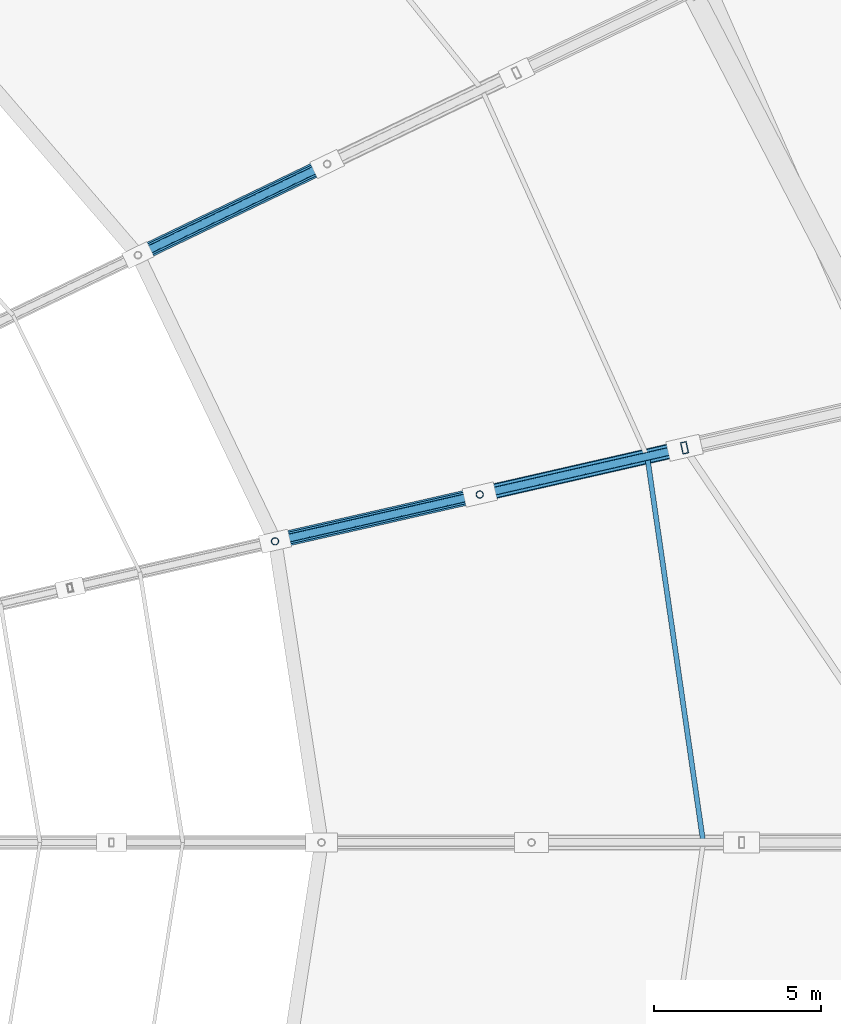
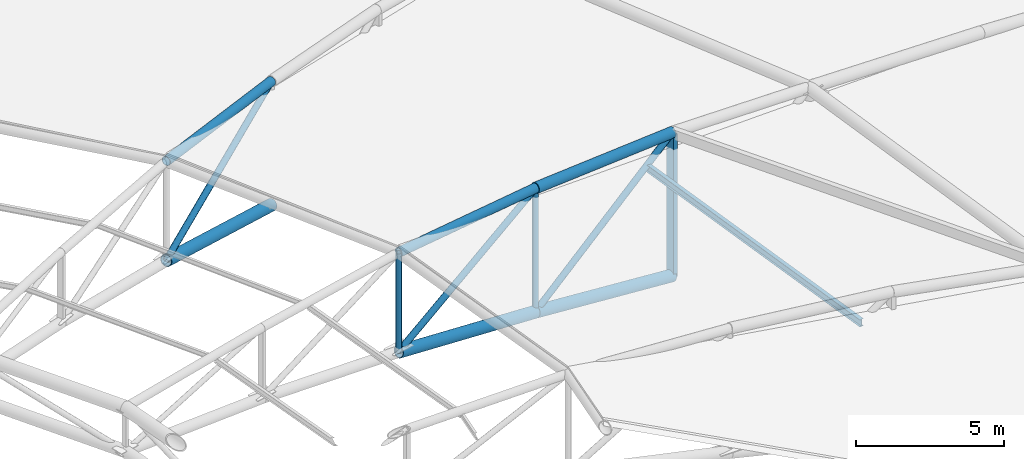
# One storey, part 73 of 108: 13 members.
"""IFC4 building model written with IfcOpenShell, lengths in metres."""

import ifcopenshell
import ifcopenshell.guid

model = None  # the IFC model being written
_history = None  # IfcOwnerHistory: only IFC2X3 demands one
_inside = {}  # id of a spatial element -> (the spatial element, [elements in it])
_under = {}  # id of a project, library or spatial element -> (it, [spatial elements below it])
_declared = {}  # id of a project -> (the project, [libraries it declares])
_typed = {}  # id of a type object -> (the type object, [elements of that type])
_made_of = {}  # id of a material, layer set ... -> (it, [elements and type objects made of it])


def new_model(schema):
    """Start an empty IFC model of exactly this schema.

    Asked for "IFC4X3", IfcOpenShell would pick the latest addendum, in which some entities
    have other attributes; the version numbers below select the first issue.
    IFC2X3 requires an IfcOwnerHistory on every rooted entity: one is made here for all.
    """
    global model, _history
    if schema == "IFC4X3":
        model = ifcopenshell.file(schema_version=(4, 3, 0, 0))
    else:
        model = ifcopenshell.file(schema=schema)
    _inside.clear()
    _under.clear()
    _declared.clear()
    _typed.clear()
    _made_of.clear()
    _history = None
    if model.schema == "IFC2X3":
        org = make("IfcOrganization", Name="unknown")
        user = make(
            "IfcPersonAndOrganization",
            ThePerson=make("IfcPerson", FamilyName="unknown"),
            TheOrganization=org,
        )
        app = make(
            "IfcApplication",
            ApplicationDeveloper=org,
            Version="unknown",
            ApplicationFullName="unknown",
            ApplicationIdentifier="unknown",
        )
        _history = make(
            "IfcOwnerHistory",
            OwningUser=user,
            OwningApplication=app,
            ChangeAction="ADDED",
            CreationDate=0,
        )
    return model


def make(cls, **values):
    """One entity of the class cls with the attributes given. An attribute that is None is left unset."""
    return model.create_entity(
        cls, **{name: value for name, value in values.items() if value is not None}
    )


def rooted(cls, **values):
    """An entity with a GlobalId (a new one), such as an element, a storey or a relation."""
    return make(cls, GlobalId=ifcopenshell.guid.new(), OwnerHistory=_history, **values)


def si_unit(unit_type, name, prefix=None):
    """IfcSIUnit, for example si_unit("LENGTHUNIT", "METRE", prefix="MILLI")."""
    return make("IfcSIUnit", UnitType=unit_type, Prefix=prefix, Name=name)


def assignment(units):
    """IfcUnitAssignment: the units of a project."""
    return None if units is None else make("IfcUnitAssignment", Units=units)


def point(xyz):
    """IfcCartesianPoint."""
    return None if xyz is None else make("IfcCartesianPoint", Coordinates=xyz)


def direction(xyz):
    """IfcDirection."""
    return None if xyz is None else make("IfcDirection", DirectionRatios=xyz)


def frame(location, z_axis=None, x_axis=None):
    """IfcAxis2Placement3D, a coordinate frame: its origin and axes. An axis left out is left unset."""
    return make(
        "IfcAxis2Placement3D",
        Location=point(location),
        Axis=direction(z_axis),
        RefDirection=direction(x_axis),
    )


def frame_2d(location, x_axis=None):
    """IfcAxis2Placement2D, a coordinate frame in the plane: its origin and x axis."""
    return make(
        "IfcAxis2Placement2D", Location=point(location), RefDirection=direction(x_axis)
    )


def origin():
    """The frame at (0, 0, 0) with its axes left unset."""
    return frame((0.0, 0.0, 0.0))


def origin_2d():
    """The frame at (0, 0) in the plane with its x axis left unset."""
    return frame_2d((0.0, 0.0))


def place(relative_to, where):
    """IfcLocalPlacement: puts the frame where relative to a parent placement (None: the world)."""
    return make(
        "IfcLocalPlacement", PlacementRelTo=relative_to, RelativePlacement=where
    )


def context(
    kind, dimensions, precision=None, world=None, true_north=None, identifier=None
):
    """IfcGeometricRepresentationContext, for example the 3D "Model" context."""
    return make(
        "IfcGeometricRepresentationContext",
        ContextIdentifier=identifier,
        ContextType=kind,
        CoordinateSpaceDimension=dimensions,
        Precision=precision,
        WorldCoordinateSystem=world,
        TrueNorth=true_north,
    )


def subcontext(parent, identifier, kind, view, scale=None):
    """IfcGeometricRepresentationSubContext, for example "Body" below "Model"."""
    return make(
        "IfcGeometricRepresentationSubContext",
        ContextIdentifier=identifier,
        ContextType=kind,
        ParentContext=parent,
        TargetScale=scale,
        TargetView=view,
    )


def project(units=None, contexts=None):
    """IfcProject with its units and contexts."""
    return rooted(
        "IfcProject",
        Name="project",
        RepresentationContexts=contexts,
        UnitsInContext=assignment(units),
    )


def spatial(cls, under=None, at=None, **own):
    """A site, building, storey or space (cls), placed at a placement, below another one or the project."""
    s = rooted(cls, ObjectPlacement=at, **own)
    if under is not None:
        _under.setdefault(under.id(), (under, []))[1].append(s)
    return s


def profile(cls, at=None, kind="AREA", **sizes):
    """A parametric profile (cls). Its sizes go by their IFC names, for example OverallWidth=200.0."""
    return make(cls, ProfileType=kind, Position=at, **sizes)


def hollow_rectangle(**sizes):
    """IfcRectangleHollowProfileDef."""
    return profile("IfcRectangleHollowProfileDef", **sizes)


def hollow_circle(**sizes):
    """IfcCircleHollowProfileDef."""
    return profile("IfcCircleHollowProfileDef", **sizes)


def i_section(**sizes):
    """IfcIShapeProfileDef."""
    return profile("IfcIShapeProfileDef", **sizes)


def extrude(swept, where, along, depth):
    """IfcExtrudedAreaSolid: the profile swept, set in the frame where, extruded along a direction by depth."""
    return make(
        "IfcExtrudedAreaSolid",
        SweptArea=swept,
        Position=where,
        ExtrudedDirection=direction(along),
        Depth=depth,
    )


def shape(context_of_items, identifier, shape_type, items):
    """IfcShapeRepresentation: the items that make up one representation, for example the "Body"."""
    return make(
        "IfcShapeRepresentation",
        ContextOfItems=context_of_items,
        RepresentationIdentifier=identifier,
        RepresentationType=shape_type,
        Items=items,
    )


def material(Name=None, Category=None):
    """IfcMaterial."""
    return make("IfcMaterial", Name=Name, Category=Category)


def material_profile(
    of_material, cross_section, Name=None, Category=None, Priority=None
):
    """IfcMaterialProfile: a cross section and its material."""
    return make(
        "IfcMaterialProfile",
        Name=Name,
        Material=of_material,
        Profile=cross_section,
        Priority=Priority,
        Category=Category,
    )


def profile_set(profiles, Name=None, composite=None):
    """IfcMaterialProfileSet."""
    return make(
        "IfcMaterialProfileSet",
        Name=Name,
        MaterialProfiles=profiles,
        CompositeProfile=composite,
    )


def made_of(thing, what):
    """Note that an element or type object is made of a material, layer set ...; save() writes the relation."""
    if what is not None:
        _made_of.setdefault(what.id(), (what, []))[1].append(thing)
    return thing


def type_object(cls, material=None, **own):
    """A type object (cls), such as IfcWallType, which elements share."""
    return made_of(rooted(cls, **own), material)


def element(
    cls,
    number,
    at=None,
    inside=None,
    cuts=None,
    type_object=None,
    material=None,
    context=None,
    identifier="Body",
    shape_type=None,
    held_by="IfcProductDefinitionShape",
    body=None,
    shapes=None,
    **own,
):
    """One element of the class cls, such as IfcWall. Its Tag is "e" and its number.

    at: its placement. inside: the storey or other place that contains it. cuts: it is an
    opening in that element (IfcRelVoidsElement). A single representation is given by context,
    identifier, shape_type and body (its items); several are given by shapes. held_by: the class
    of the entity that holds the representations. save() writes the other relations.
    """
    e = rooted(cls, Tag="e%d" % number, ObjectPlacement=at, **own)
    if body is not None:
        shapes = [shape(context, identifier, shape_type, body)]
    if shapes is not None:
        e.Representation = make(held_by, Representations=shapes)
    if inside is not None:
        _inside.setdefault(inside.id(), (inside, []))[1].append(e)
    if cuts is not None:
        rooted(
            "IfcRelVoidsElement", RelatingBuildingElement=cuts, RelatedOpeningElement=e
        )
    if type_object is not None:
        _typed.setdefault(type_object.id(), (type_object, []))[1].append(e)
    return made_of(e, material)


def aggregate(whole, parts):
    """IfcRelAggregates: a whole, such as a stair, and the parts it consists of."""
    return rooted("IfcRelAggregates", RelatingObject=whole, RelatedObjects=parts)


def save(model, path):
    """Write the relations noted so far, then the file.

    IfcRelAggregates (storeys below a building ...), IfcRelContainedInSpatialStructure (elements
    in a storey), IfcRelDefinesByType, IfcRelAssociatesMaterial and IfcRelDeclares: one each for
    every whole, place, type object, material and project.
    """
    for whole, parts in _under.values():
        aggregate(whole, parts)
    for where, things in _inside.values():
        rooted(
            "IfcRelContainedInSpatialStructure",
            RelatedElements=things,
            RelatingStructure=where,
        )
    for kind, things in _typed.values():
        rooted("IfcRelDefinesByType", RelatedObjects=things, RelatingType=kind)
    for what, things in _made_of.values():
        rooted("IfcRelAssociatesMaterial", RelatedObjects=things, RelatingMaterial=what)
    for by, libraries in _declared.values():
        rooted("IfcRelDeclares", RelatingContext=by, RelatedDefinitions=libraries)
    model.write(path)


model = new_model("IFC4")

# Units and contexts
model_context = context("Model", 3, precision=1e-05, world=origin(), true_north=direction((0.0, 1.0)))
body_context = subcontext(model_context, "Body", "Model", "MODEL_VIEW")
ifc_project = project(units=[si_unit("LENGTHUNIT", "METRE"), si_unit("AREAUNIT", "SQUARE_METRE"), si_unit("VOLUMEUNIT", "CUBIC_METRE"), si_unit("PLANEANGLEUNIT", "RADIAN"), si_unit("MASSUNIT", "GRAM", prefix="KILO")], contexts=[model_context])

# Site, building, storey
site_placement = place(None, origin())
site = spatial("IfcSite", under=ifc_project, at=site_placement, CompositionType="ELEMENT")
building_placement = place(site_placement, origin())
building = spatial("IfcBuilding", under=site, at=building_placement, Name="Zevraka Park Crest Stadium", CompositionType="ELEMENT")
storey_placement = place(building_placement, frame((0.0, 0.0, 29.39990234375)))
storey = spatial("IfcBuildingStorey", under=building, at=storey_placement, Name="RF", CompositionType="ELEMENT", Elevation=29.39990234375)

# Members
ifc_material_1 = material(Name="Steel S355", Category="steel")
ifc_material_profile_1 = material_profile(ifc_material_1, i_section(OverallWidth=0.14990234375, OverallDepth=0.300048828125, WebThickness=0.007080078125, FlangeThickness=0.0107421875, at=origin_2d()), Name="IPE 300")
ifc_profile_set_1 = profile_set([ifc_material_profile_1], Name="Steel S355")
member_type_1 = type_object("IfcMemberType", Name="PR02", PredefinedType="PURLIN", material=ifc_profile_set_1)
member_1_placement = place(storey_placement, frame((179.051025390625, 92.0, 7.47314453125), z_axis=(-0.143625982386, 0.989632041308, 0.0), x_axis=(-0.989632041308, -0.143625982386, 0.0)))
element("IfcMember", 1, at=member_1_placement, inside=storey, type_object=member_type_1, Name="Canopy Roof Purlin PR02 OUTER-01-2", PredefinedType="PURLIN", context=body_context, shape_type="SweptSolid", body=[
    extrude(i_section(OverallWidth=0.14990234375, OverallDepth=0.300048828125, WebThickness=0.007080078125, FlangeThickness=0.0107421875, at=origin_2d()), origin(), (0.0, 0.0, 1.0), 11.703369140625),
])
ifc_material_2 = material(Name="Steel S355", Category="steel")
ifc_material_profile_2 = material_profile(ifc_material_2, hollow_circle(Radius=0.228515625, WallThickness=0.02490234375, at=origin_2d()), Name="CHS 457.0x25")
ifc_profile_set_2 = profile_set([ifc_material_profile_2], Name="Steel S355")
member_type_2 = type_object("IfcMemberType", Name="TC02", PredefinedType="CHORD", material=ifc_profile_set_2)
member_2_placement = place(storey_placement, frame((178.489990234375, 103.837890625, 2.4501953125), z_axis=(-0.948417452042, -0.216464464966, 0.231619239421), x_axis=(0.222515433667, -0.974929167571, 0.0)))
element("IfcMember", 2, at=member_2_placement, inside=storey, type_object=member_type_2, Name="Roof Truss Bottom Chord TC02 T02-4", PredefinedType="CHORD", context=body_context, shape_type="SweptSolid", body=[
    extrude(hollow_circle(Radius=0.228515625, WallThickness=0.02490234375, at=origin_2d()), origin(), (0.0, 0.0, 1.0), 6.47607421875),
])
for number, where, z_axis, x_axis, name in (
    (3, (172.347900390625, 102.43603515625, 3.9501953125), (-0.953281562703, -0.217621179576, 0.209512014954), (0.222560675043, -0.974918840686, 0.0), "Roof Truss Bottom Chord TC02 T02-5"),
    (4, (167.77001953125, 112.34912109375, 3.9501953125), (-0.880989175528, -0.424219270508, 0.209513921093), (0.433848244141, -0.900985960521, 0.0), "Roof Truss Bottom Chord TC02 T03-5"),
):
    element("IfcMember", number, at=place(storey_placement, frame(where, z_axis=z_axis, x_axis=x_axis)), inside=storey, type_object=member_type_2, Name=name, PredefinedType="CHORD", context=body_context, shape_type="SweptSolid", body=[
        extrude(hollow_circle(Radius=0.228515625, WallThickness=0.02490234375, at=origin_2d()), origin(), (0.0, 0.0, 1.0), 6.44287109375),
    ])
ifc_material_3 = material(Name="Steel S355", Category="steel")
ifc_material_profile_3 = material_profile(ifc_material_3, hollow_circle(Radius=0.203125, WallThickness=0.02001953125, at=origin_2d()), Name="CHS 406.4x20")
ifc_profile_set_3 = profile_set([ifc_material_profile_3], Name="Steel S355")
member_type_3 = type_object("IfcMemberType", Name="TC03", PredefinedType="CHORD", material=ifc_profile_set_3)
member_3_placement = place(storey_placement, frame((178.489990234375, 103.837890625, 8.35009765625), z_axis=(-0.968967135764, -0.221154674201, 0.110423276025), x_axis=(0.222515433667, -0.974929167571, 0.0)))
element("IfcMember", 5, at=member_3_placement, inside=storey, type_object=member_type_3, Name="Roof Truss Top Chord TC03 T02-4", PredefinedType="CHORD", context=body_context, shape_type="SweptSolid", body=[
    extrude(hollow_circle(Radius=0.203125, WallThickness=0.02001953125, at=origin_2d()), origin(), (0.0, 0.0, 1.0), 6.3388671875),
])
ifc_material_4 = material(Name="Steel S355", Category="steel")
ifc_material_profile_4 = material_profile(ifc_material_4, hollow_circle(Radius=0.177734375, WallThickness=0.01611328125, at=origin_2d()), Name="CHS 355.6x16")
ifc_profile_set_4 = profile_set([ifc_material_profile_4], Name="Steel S355")
member_type_4 = type_object("IfcMemberType", Name="TC05", PredefinedType="CHORD", material=ifc_profile_set_4)
for number, where, z_axis, x_axis, name in (
    (6, (172.347900390625, 102.43603515625, 9.050048828125), (-0.973416904436, -0.222217803481, 0.05548673693), (0.222560675043, -0.974918840686, 0.0), "Roof Truss Top Chord TC05 T02-5"),
    (7, (167.77001953125, 112.34912109375, 9.050048828125), (-0.899597897112, -0.433179855399, 0.0554872633), (0.433848244141, -0.900985960521, 0.0), "Roof Truss Top Chord TC05 T03-5"),
):
    element("IfcMember", number, at=place(storey_placement, frame(where, z_axis=z_axis, x_axis=x_axis)), inside=storey, type_object=member_type_4, Name=name, PredefinedType="CHORD", context=body_context, shape_type="SweptSolid", body=[
        extrude(hollow_circle(Radius=0.177734375, WallThickness=0.01611328125, at=origin_2d()), origin(), (0.0, 0.0, 1.0), 6.3095703125),
    ])
ifc_material_5 = material(Name="Steel S355", Category="steel")
ifc_material_profile_5 = material_profile(ifc_material_5, hollow_circle(Radius=0.109619140625, WallThickness=0.010009765625, at=origin_2d()), Name="CHS 219.1x10")
ifc_profile_set_5 = profile_set([ifc_material_profile_5], Name="Steel S355")
member_type_5 = type_object("IfcMemberType", Name="WB02", PredefinedType="BRACE", material=ifc_profile_set_5)
member_4_placement = place(storey_placement, frame((172.347900390625, 102.43603515625, 3.9501953125), z_axis=(0.0, 0.0, 1.0), x_axis=(0.974916814618, 0.222569549971, 0.0)))
element("IfcMember", 8, at=member_4_placement, inside=storey, type_object=member_type_5, Name="Roof Truss Web Post WB02 T02-4", PredefinedType="BRACE", context=body_context, shape_type="SweptSolid", body=[
    extrude(hollow_circle(Radius=0.109619140625, WallThickness=0.010009765625, at=origin_2d()), origin(), (0.0, 0.0, 1.0), 5.099853515625),
])
member_5_placement = place(storey_placement, frame((166.2060546875, 101.033935546875, 5.300048828125), z_axis=(0.0, 0.0, 1.0), x_axis=(0.974916814618, 0.222569549971, 0.0)))
element("IfcMember", 9, at=member_5_placement, inside=storey, type_object=member_type_5, Name="Roof Truss Web Post WB02 T02-5", PredefinedType="BRACE", context=body_context, shape_type="SweptSolid", body=[
    extrude(hollow_circle(Radius=0.109619140625, WallThickness=0.010009765625, at=origin_2d()), origin(), (0.0, 0.0, 1.0), 4.10009765625),
])
ifc_material_6 = material(Name="Steel S355", Category="steel")
ifc_material_profile_6 = material_profile(ifc_material_6, hollow_circle(Radius=0.122314453125, WallThickness=0.012451171875, at=origin_2d()), Name="CHS 244.5x12.5")
ifc_profile_set_6 = profile_set([ifc_material_profile_6], Name="Steel S355")
member_type_6 = type_object("IfcMemberType", Name="WB07", PredefinedType="BRACE", material=ifc_profile_set_6)
member_6_placement = place(storey_placement, frame((172.347900390625, 102.43603515625, 3.9501953125), z_axis=(0.799296035547, 0.18242935989, 0.572577834193), x_axis=(-0.222515433667, 0.974929167571, 0.0)))
element("IfcMember", 10, at=member_6_placement, inside=storey, type_object=member_type_6, Name="Roof Truss Web Diagonal WB07 T02-4", PredefinedType="BRACE", context=body_context, shape_type="SweptSolid", body=[
    extrude(hollow_circle(Radius=0.122314453125, WallThickness=0.012451171875, at=origin_2d()), origin(), (0.0, 0.0, 1.0), 7.684326171875),
])
for number, where, z_axis, x_axis, name in (
    (11, (166.2060546875, 101.033935546875, 5.300048828125), (0.837735720083, 0.191243639561, 0.511492652561), (-0.222560675043, 0.974918840686, 0.0), "Roof Truss Web Diagonal WB07 T02-5"),
    (12, (162.093994140625, 109.615966796875, 5.300048828125), (0.774204181768, 0.372799510297, 0.511496246374), (-0.433848244141, 0.900985960521, 0.0), "Roof Truss Web Diagonal WB07 T03-5"),
):
    element("IfcMember", number, at=place(storey_placement, frame(where, z_axis=z_axis, x_axis=x_axis)), inside=storey, type_object=member_type_6, Name=name, PredefinedType="BRACE", context=body_context, shape_type="SweptSolid", body=[
        extrude(hollow_circle(Radius=0.122314453125, WallThickness=0.012451171875, at=origin_2d()), origin(), (0.0, 0.0, 1.0), 7.33154296875),
    ])
ifc_material_7 = material(Name="Steel S355", Category="steel")
ifc_material_profile_7 = material_profile(ifc_material_7, hollow_rectangle(XDim=0.175048828125, YDim=0.35009765625, WallThickness=0.012451171875, at=origin_2d()), Name="RHS 350x175x12.5")
ifc_profile_set_7 = profile_set([ifc_material_profile_7], Name="Steel S355")
member_type_7 = type_object("IfcMemberType", Name="WB09", PredefinedType="BRACE", material=ifc_profile_set_7)
member_7_placement = place(storey_placement, frame((178.489990234375, 103.837890625, 2.4501953125), z_axis=(0.0, 0.0, 1.0), x_axis=(0.974916814618, 0.222569549971, 0.0)))
element("IfcMember", 13, at=member_7_placement, inside=storey, type_object=member_type_7, Name="Roof Truss Web Post WB09 T02-3", PredefinedType="BRACE", context=body_context, shape_type="SweptSolid", body=[
    extrude(hollow_rectangle(XDim=0.175048828125, YDim=0.35009765625, WallThickness=0.012451171875, at=origin_2d()), origin(), (0.0, 0.0, 1.0), 5.89990234375),
])

save(model, "model.ifc")
